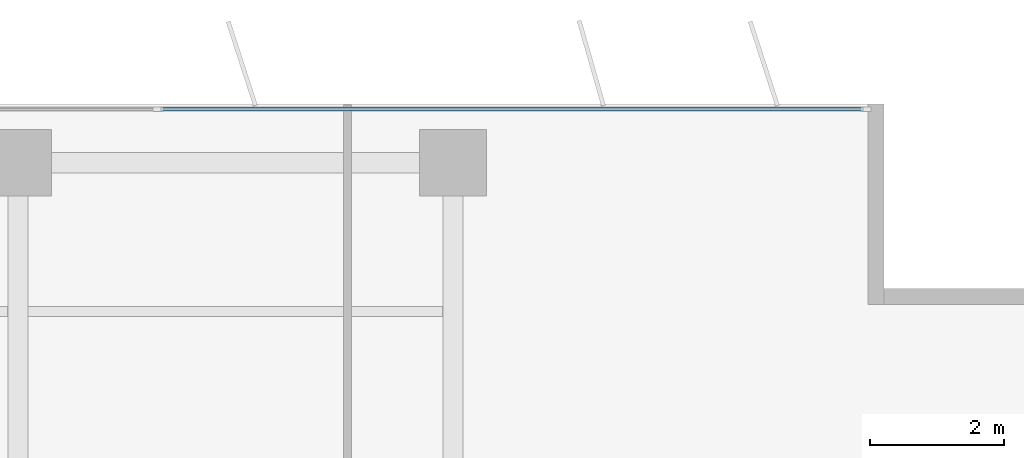
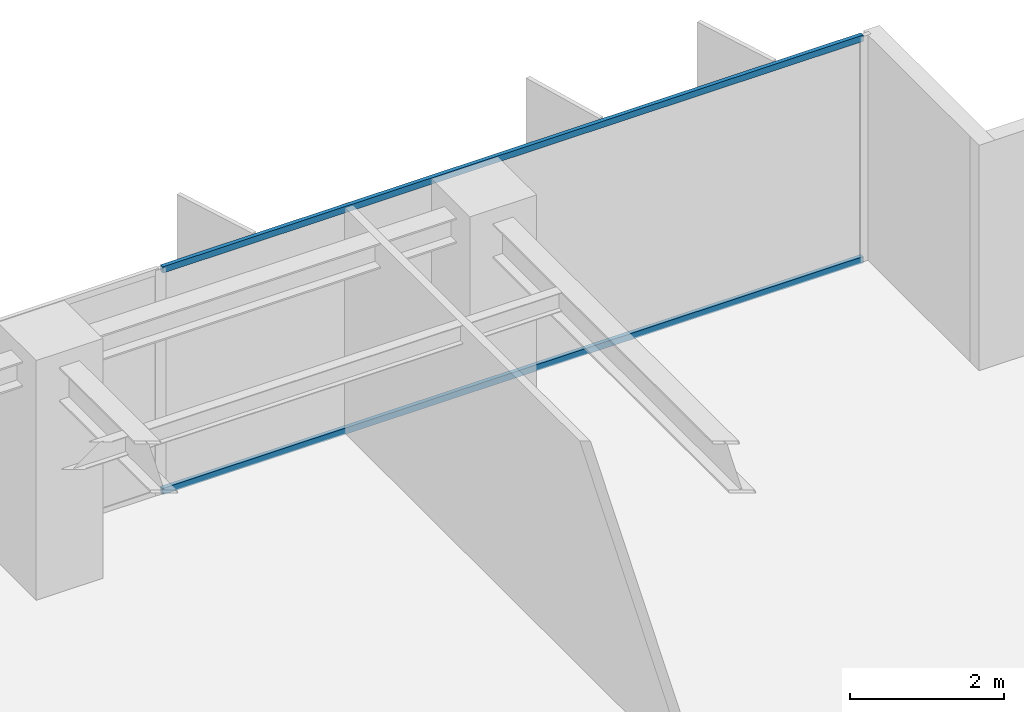
# One storey, part 11 of 22: 2 members, 1 element without a shape of its own.
"""IFC4 building model written with IfcOpenShell, lengths in metres."""

from ifc_helpers import new_model, si_unit, direction, frame, origin, origin_2d, place, context, subcontext, project, spatial, rectangle, extrude, material, layer, layer_set, material_profile, profile_set, type_object, element, aggregate, save


model = new_model("IFC4")

# Units and contexts
model_context = context("Model", 3, precision=1e-05, world=origin(), true_north=direction((0.0, 1.0)))
body_context = subcontext(model_context, "Body", "Model", "MODEL_VIEW")
ifc_project = project(units=[si_unit("LENGTHUNIT", "METRE"), si_unit("AREAUNIT", "SQUARE_METRE"), si_unit("VOLUMEUNIT", "CUBIC_METRE"), si_unit("PLANEANGLEUNIT", "RADIAN"), si_unit("MASSUNIT", "GRAM", prefix="KILO")], contexts=[model_context])

# Site, building, storey
site_placement = place(None, origin())
site = spatial("IfcSite", under=ifc_project, at=site_placement, CompositionType="ELEMENT")
building_placement = place(site_placement, origin())
building = spatial("IfcBuilding", under=site, at=building_placement, Name="Putna Gate Headquarters", CompositionType="ELEMENT")
storey_placement = place(building_placement, frame((0.0, 0.0, 151.800048828125)))
storey = spatial("IfcBuildingStorey", under=building, at=storey_placement, Name="L37", CompositionType="ELEMENT", Elevation=151.800048828125)

# Curtain wall, members
ifc_material_1 = material(Name="Anodised bronze aluminium curtain wall", Category="aluminium")
ifc_layer = layer(ifc_material_1, 0.159912109375)
ifc_layer_set = layer_set([ifc_layer], Name="Anodised bronze aluminium curtain wall")
curtain_wall_type = type_object("IfcCurtainWallType", Name="CW-SYS-Z3", PredefinedType="USERDEFINED", material=ifc_layer_set)
curtain_wall_placement = place(storey_placement, origin())
curtain_wall = element("IfcCurtainWall", 1, at=curtain_wall_placement, inside=storey, type_object=curtain_wall_type, Name="L37 North East Curtain Wall", ObjectType="STICK CURTAIN WALL", PredefinedType="USERDEFINED")
ifc_material_2 = material(Name="Anodised bronze aluminium EN AW-6060", Category="aluminium")
ifc_material_profile = material_profile(ifc_material_2, rectangle(XDim=0.06005859375, YDim=0.10009765625, at=origin_2d()), Name="Anodised bronze aluminium EN AW-6060")
ifc_profile_set = profile_set([ifc_material_profile], Name="Anodised bronze aluminium EN AW-6060")
member_type = type_object("IfcMemberType", Name="TRAN-CWT-3", PredefinedType="USERDEFINED", material=ifc_profile_set)
member_1_placement = place(storey_placement, frame((60.632568359375, 48.52001953125, 0.030029296875), z_axis=(1.0, 0.0, 0.0), x_axis=(0.0, 1.0, 0.0)))
member_1 = element("IfcMember", 2, at=member_1_placement, type_object=member_type, Name="CWS-3 transom 2.1", ObjectType="TRANSOM", PredefinedType="USERDEFINED", context=body_context, shape_type="SweptSolid", body=[
    extrude(rectangle(XDim=0.06005859375, YDim=0.10009765625, at=origin_2d()), origin(), (0.0, 0.0, 1.0), 10.50244140625),
])
member_2_placement = place(storey_placement, frame((60.632568359375, 48.52001953125, 3.5419921875), z_axis=(1.0, 0.0, 0.0), x_axis=(0.0, 1.0, 0.0)))
member_2 = element("IfcMember", 3, at=member_2_placement, type_object=member_type, Name="CWS-3 transom 2.2", ObjectType="TRANSOM", PredefinedType="USERDEFINED", context=body_context, shape_type="SweptSolid", body=[
    extrude(rectangle(XDim=0.06005859375, YDim=0.10009765625, at=origin_2d()), origin(), (0.0, 0.0, 1.0), 10.50244140625),
])
aggregate(curtain_wall, [member_1, member_2])

save(model, "model.ifc")
